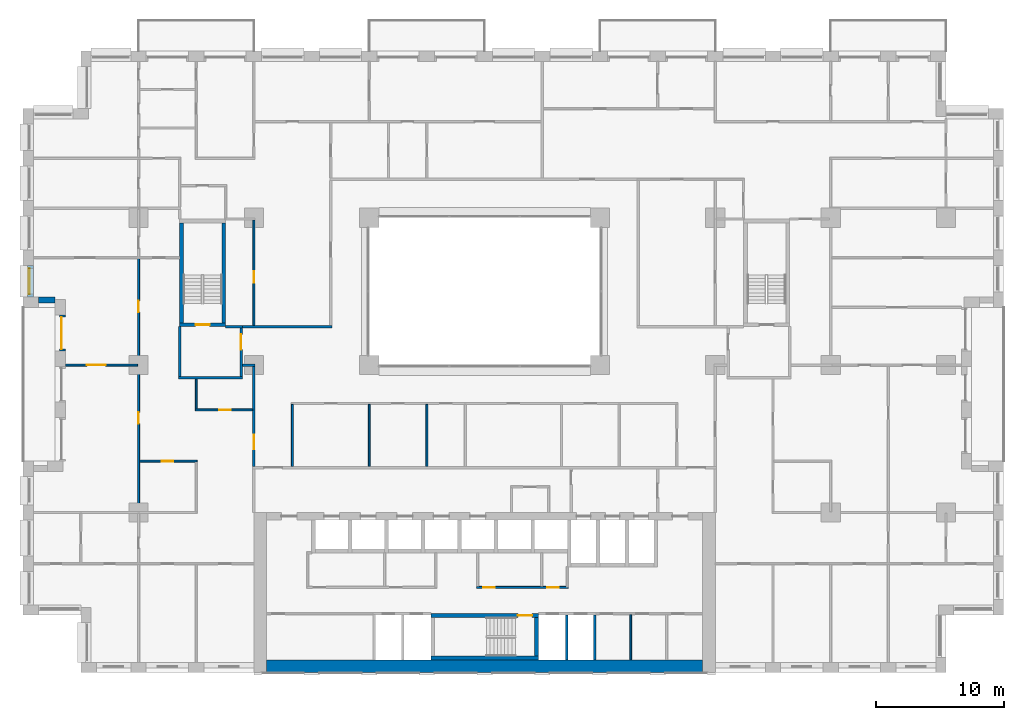
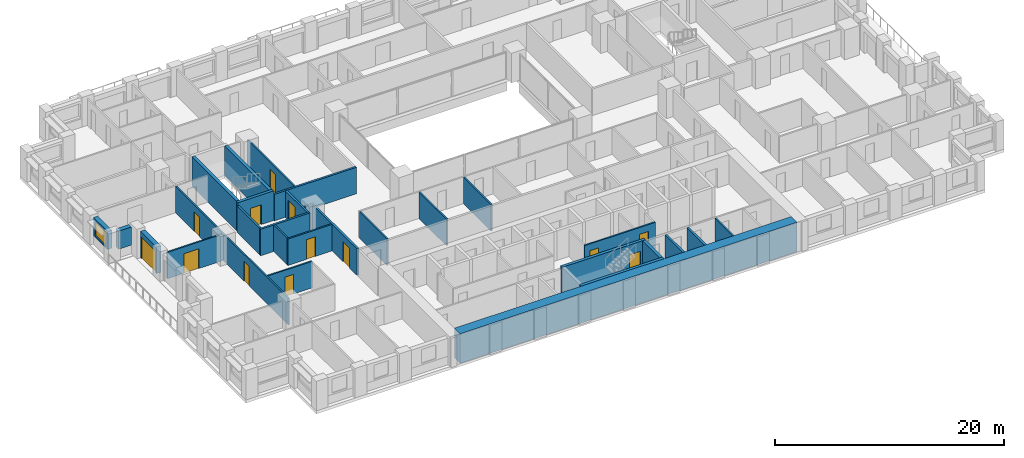
# One storey, part 10 of 20: 30 walls, 13 doors, 1 window, 14 openings.
"""IFC4 building model written with IfcOpenShell, lengths in metres."""

from ifc_helpers import new_model, si_unit, direction, frame, frame_2d, origin, place, context, subcontext, project, spatial, rectangle, extrude, material, layer, layer_set, type_object, element, fill, save


model = new_model("IFC4")

# Units and contexts
model_context = context("Model", 3, precision=1e-05, world=origin(), true_north=direction((0.0, 1.0)))
body_context = subcontext(model_context, "Body", "Model", "MODEL_VIEW")
ifc_project = project(units=[si_unit("LENGTHUNIT", "METRE"), si_unit("AREAUNIT", "SQUARE_METRE"), si_unit("VOLUMEUNIT", "CUBIC_METRE"), si_unit("PLANEANGLEUNIT", "RADIAN"), si_unit("MASSUNIT", "GRAM", prefix="KILO")], contexts=[model_context])

# Site, building, storey
site_placement = place(None, origin())
site = spatial("IfcSite", under=ifc_project, at=site_placement, CompositionType="ELEMENT")
building_placement = place(site_placement, origin())
building = spatial("IfcBuilding", under=site, at=building_placement, Name="Brigalow Station Residences", CompositionType="ELEMENT")
storey_placement = place(building_placement, frame((0.0, 0.0, 60.449951171875)))
storey = spatial("IfcBuildingStorey", under=building, at=storey_placement, Name="L17", CompositionType="ELEMENT", Elevation=60.449951171875)

# Wall, opening, window
ifc_material_1 = material(Name="Clay brick masonry", Category="masonry")
ifc_layer_1 = layer(ifc_material_1, 0.449951171875)
ifc_layer_set_1 = layer_set([ifc_layer_1], Name="BRICK INFILL WALL 450")
wall_type_1 = type_object("IfcWallType", Name="BRICK INFILL WALL 450", PredefinedType="SOLIDWALL", material=ifc_layer_set_1)
wall_1_placement = place(storey_placement, frame((0.574951171875, 31.77490234375, 0.900146484375), z_axis=(0.0, 0.0, 1.0), x_axis=(0.0, -1.0, 0.0)))
wall_1 = element("IfcWall", 1, at=wall_1_placement, inside=storey, type_object=wall_type_1, Name="L17/ewall/W-L17-45", PredefinedType="SOLIDWALL", context=body_context, shape_type="SweptSolid", body=[
    extrude(rectangle(XDim=2.474853515625, YDim=0.449951171875, at=frame_2d((1.2373046875, 0.0))), origin(), (0.0, 0.0, 1.0), 1.929931640625),
])
opening_1_placement = place(wall_1_placement, frame((0.237548828125, 0.0, 0.14990234375)))
opening_1 = element("IfcOpeningElement", 2, at=opening_1_placement, cuts=wall_1, Name="Opening WT-7", PredefinedType="OPENING", context=body_context, shape_type="SweptSolid", body=[
    extrude(rectangle(XDim=2.0, YDim=1.5, at=frame_2d((1.0, 0.75))), frame((0.0, 0.23486328125, 0.0), z_axis=(0.0, -1.0, 0.0), x_axis=(1.0, 0.0, 0.0)), (0.0, 0.0, 1.0), 0.469970703125),
])
ifc_material_2 = material(Name="Anodised aluminium frame with double glazing", Category="aluminium")
window_type = type_object("IfcWindowType", Name="WINDOW 2000x1500", PartitioningType="SINGLE_PANEL", PredefinedType="WINDOW", material=ifc_material_2)
window_placement = place(opening_1_placement, origin())
window = element("IfcWindow", 3, at=window_placement, inside=storey, type_object=window_type, Name="L17/window/W-L17-45", OverallHeight=1.5, OverallWidth=2.0, PartitioningType="SINGLE_PANEL", PredefinedType="WINDOW", context=body_context, shape_type="SweptSolid", body=[
    extrude(rectangle(XDim=2.0, YDim=1.5, at=frame_2d((1.0, 0.75))), frame((0.0, -0.06494140625, 0.0), z_axis=(0.0, -1.0, 0.0), x_axis=(1.0, 0.0, 0.0)), (0.0, 0.0, 1.0), 0.06005859375),
])
fill(opening_1, window)

# Wall
wall_2_placement = place(storey_placement, frame((1.199951171875, 29.074951171875, 0.900146484375), z_axis=(0.0, 0.0, 1.0), x_axis=(1.0, 0.0, 0.0)))
element("IfcWall", 4, at=wall_2_placement, inside=storey, type_object=wall_type_1, Name="L17/ewall/W-L17-46", PredefinedType="SOLIDWALL", context=body_context, shape_type="SweptSolid", body=[
    extrude(rectangle(XDim=1.300048828125, YDim=0.449951171875, at=frame_2d((0.64990234375, 0.0))), origin(), (0.0, 0.0, 1.0), 1.929931640625),
])

# Wall, opening, door
wall_3_placement = place(storey_placement, frame((3.074951171875, 27.89990234375, 0.0), z_axis=(0.0, 0.0, 1.0), x_axis=(0.0, -1.0, 0.0)))
wall_3 = element("IfcWall", 5, at=wall_3_placement, inside=storey, type_object=wall_type_1, Name="L17/ewall/W-L17-47", PredefinedType="SOLIDWALL", context=body_context, shape_type="SweptSolid", body=[
    extrude(rectangle(XDim=2.7998046875, YDim=0.449951171875, at=frame_2d((1.39990234375, 0.0))), origin(), (0.0, 0.0, 1.0), 2.830078125),
])
opening_2_placement = place(wall_3_placement, frame((0.14990234375, 0.0, 0.0)))
opening_2 = element("IfcOpeningElement", 6, at=opening_2_placement, cuts=wall_3, Name="Opening D-B2500", PredefinedType="OPENING", context=body_context, shape_type="SweptSolid", body=[
    extrude(rectangle(XDim=2.5, YDim=2.300048828125, at=frame_2d((1.25, 1.14990234375))), frame((0.0, 0.23486328125, 0.0), z_axis=(0.0, -1.0, 0.0), x_axis=(1.0, 0.0, 0.0)), (0.0, 0.0, 1.0), 0.469970703125),
])
ifc_material_3 = material(Name="Anodised aluminium frame with double glazing", Category="aluminium")
door_type_1 = type_object("IfcDoorType", Name="BALCONY SLIDING DOOR 2500x2300", OperationType="SLIDING_TO_LEFT", PredefinedType="DOOR", material=ifc_material_3)
door_1_placement = place(opening_2_placement, origin())
door_1 = element("IfcDoor", 7, at=door_1_placement, inside=storey, type_object=door_type_1, Name="L17/balcony-door/W-L17-47", OperationType="SLIDING_TO_LEFT", OverallHeight=2.300048828125, OverallWidth=2.5, PredefinedType="DOOR", context=body_context, shape_type="SweptSolid", body=[
    extrude(rectangle(XDim=2.5, YDim=2.300048828125, at=frame_2d((1.25, 1.14990234375))), frame((0.0, -0.06982421875, 0.0), z_axis=(0.0, -1.0, 0.0), x_axis=(1.0, 0.0, 0.0)), (0.0, 0.0, 1.0), 0.050048828125),
])
fill(opening_2, door_1)

# Walls
ifc_material_4 = material(Name="Concrete C80", Category="concrete")
ifc_layer_2 = layer(ifc_material_4, 1.0)
ifc_layer_set_2 = layer_set([ifc_layer_2], Name="CORE SHEAR WALL 1000 C80")
wall_type_2 = type_object("IfcWallType", Name="CORE SHEAR WALL 1000 C80", PredefinedType="SHEAR", material=ifc_layer_set_2)
wall_4_placement = place(storey_placement, frame((19.0, 0.5, 0.0), z_axis=(0.0, 0.0, 1.0), x_axis=(1.0, 0.0, 0.0)))
element("IfcWall", 8, at=wall_4_placement, inside=storey, type_object=wall_type_2, Name="CORE WALL OUT-S L17", PredefinedType="SHEAR", context=body_context, shape_type="SweptSolid", body=[
    extrude(rectangle(XDim=34.0, YDim=1.0, at=frame_2d((17.0, 0.0))), origin(), (0.0, 0.0, 1.0), 3.150146484375),
])
ifc_material_5 = material(Name="Concrete C80", Category="concrete")
ifc_layer_3 = layer(ifc_material_5, 0.300048828125)
ifc_layer_set_3 = layer_set([ifc_layer_3], Name="CORE SHEAR WALL 300 C80")
wall_type_3 = type_object("IfcWallType", Name="CORE SHEAR WALL 300 C80", PredefinedType="SHEAR", material=ifc_layer_set_3)
wall_5_placement = place(storey_placement, frame((31.800048828125, 1.14990234375, 0.0), z_axis=(0.0, 0.0, 1.0), x_axis=(1.0, 0.0, 0.0)))
element("IfcWall", 9, at=wall_5_placement, inside=storey, type_object=wall_type_3, Name="CORE WALL ST-S2-S L17", PredefinedType="SHEAR", context=body_context, shape_type="SweptSolid", body=[
    extrude(rectangle(XDim=8.39990234375, YDim=0.300048828125, at=frame_2d((4.199951171875, 0.0))), origin(), (0.0, 0.0, 1.0), 3.150146484375),
])

# Wall, opening, door
wall_6_placement = place(storey_placement, frame((31.800048828125, 4.449951171875, 0.0), z_axis=(0.0, 0.0, 1.0), x_axis=(1.0, 0.0, 0.0)))
wall_6 = element("IfcWall", 10, at=wall_6_placement, inside=storey, type_object=wall_type_3, Name="CORE WALL ST-S2-N L17", PredefinedType="SHEAR", context=body_context, shape_type="SweptSolid", body=[
    extrude(rectangle(XDim=8.39990234375, YDim=0.300048828125, at=frame_2d((4.199951171875, 0.0))), origin(), (0.0, 0.0, 1.0), 3.150146484375),
])
opening_3_placement = place(wall_6_placement, frame((6.800048828125, 0.0, 0.0)))
opening_3 = element("IfcOpeningElement", 11, at=opening_3_placement, cuts=wall_6, Name="Opening D-5001", PredefinedType="OPENING", context=body_context, shape_type="SweptSolid", body=[
    extrude(rectangle(XDim=1.10009765625, YDim=2.10009765625, at=frame_2d((0.550048828125, 1.050048828125))), frame((0.0, 0.16015625, 0.0), z_axis=(0.0, -1.0, 0.0), x_axis=(1.0, 0.0, 0.0)), (0.0, 0.0, 1.0), 0.320068359375),
])
ifc_material_6 = material(Name="Steel fire door leaf in steel frame", Category="steel")
door_type_2 = type_object("IfcDoorType", Name="STAIR DOOR 1100 x 2100 FD60S", OperationType="SINGLE_SWING_LEFT", PredefinedType="DOOR", material=ifc_material_6)
door_2_placement = place(opening_3_placement, frame((1.10009765625, 0.0, 0.0), z_axis=(0.0, 0.0, 1.0), x_axis=(-1.0, 0.0, 0.0)))
door_2 = element("IfcDoor", 12, at=door_2_placement, inside=storey, type_object=door_type_2, Name="D-5001", OperationType="SINGLE_SWING_LEFT", OverallHeight=2.10009765625, OverallWidth=1.10009765625, PredefinedType="DOOR", context=body_context, shape_type="SweptSolid", body=[
    extrude(rectangle(XDim=1.10009765625, YDim=2.10009765625, at=frame_2d((0.550048828125, 1.050048828125))), frame((0.0, 0.02490234375, 0.0), z_axis=(0.0, -1.0, 0.0), x_axis=(1.0, 0.0, 0.0)), (0.0, 0.0, 1.0), 0.050048828125),
])
fill(opening_3, door_2)

# Wall
wall_7_placement = place(storey_placement, frame((40.050048828125, 1.300048828125, 0.0), z_axis=(0.0, 0.0, 1.0), x_axis=(0.0, 1.0, 0.0)))
element("IfcWall", 13, at=wall_7_placement, inside=storey, type_object=wall_type_3, Name="CORE WALL ST-S2-E L17", PredefinedType="SHEAR", context=body_context, shape_type="SweptSolid", body=[
    extrude(rectangle(XDim=3.0, YDim=0.300048828125, at=frame_2d((1.5, 0.0))), origin(), (0.0, 0.0, 1.0), 3.150146484375),
])

# Wall, opening, door
wall_8_placement = place(storey_placement, frame((12.199951171875, 27.14990234375, 0.0), z_axis=(0.0, 0.0, 1.0), x_axis=(1.0, 0.0, 0.0)))
wall_8 = element("IfcWall", 14, at=wall_8_placement, inside=storey, type_object=wall_type_3, Name="CORE WALL ST-S1-S L17", PredefinedType="SHEAR", context=body_context, shape_type="SweptSolid", body=[
    extrude(rectangle(XDim=3.60009765625, YDim=0.300048828125, at=frame_2d((1.800048828125, 0.0))), origin(), (0.0, 0.0, 1.0), 3.150146484375),
])
opening_4_placement = place(wall_8_placement, frame((1.25, 0.0, 0.0)))
opening_4 = element("IfcOpeningElement", 15, at=opening_4_placement, cuts=wall_8, Name="Opening D-5015", PredefinedType="OPENING", context=body_context, shape_type="SweptSolid", body=[
    extrude(rectangle(XDim=1.10009765625, YDim=2.10009765625, at=frame_2d((0.550048828125, 1.050048828125))), frame((0.0, 0.16015625, 0.0), z_axis=(0.0, -1.0, 0.0), x_axis=(1.0, 0.0, 0.0)), (0.0, 0.0, 1.0), 0.320068359375),
])
door_3_placement = place(opening_4_placement, origin())
door_3 = element("IfcDoor", 16, at=door_3_placement, inside=storey, type_object=door_type_2, Name="D-5015", OperationType="SINGLE_SWING_LEFT", OverallHeight=2.10009765625, OverallWidth=1.10009765625, PredefinedType="DOOR", context=body_context, shape_type="SweptSolid", body=[
    extrude(rectangle(XDim=1.10009765625, YDim=2.10009765625, at=frame_2d((0.550048828125, 1.050048828125))), frame((0.0, 0.02490234375, 0.0), z_axis=(0.0, -1.0, 0.0), x_axis=(1.0, 0.0, 0.0)), (0.0, 0.0, 1.0), 0.050048828125),
])
fill(opening_4, door_3)

# Walls
for number, where, z_axis, x_axis, name in (
    (17, (12.35009765625, 27.300048828125, 0.0), (0.0, 0.0, 1.0), (0.0, 1.0, 0.0), "CORE WALL ST-S1-W L17"),
    (18, (15.64990234375, 27.300048828125, 0.0), (0.0, 0.0, 1.0), (0.0, 1.0, 0.0), "CORE WALL ST-S1-E L17"),
):
    element("IfcWall", number, at=place(storey_placement, frame(where, z_axis=z_axis, x_axis=x_axis)), inside=storey, type_object=wall_type_3, Name=name, PredefinedType="SHEAR", context=body_context, shape_type="SweptSolid", body=[
        extrude(rectangle(XDim=7.800048828125, YDim=0.300048828125, at=frame_2d((3.89990234375, 0.0))), origin(), (0.0, 0.0, 1.0), 3.150146484375),
    ])
ifc_material_7 = material(Name="Concrete blockwork", Category="masonry")
ifc_layer_4 = layer(ifc_material_7, 0.199951171875)
ifc_layer_set_4 = layer_set([ifc_layer_4], Name="FIRE RATED CORE PARTITION 200")
wall_type_4 = type_object("IfcWallType", Name="FIRE RATED CORE PARTITION 200", PredefinedType="PARTITIONING", material=ifc_layer_set_4)
wall_9_placement = place(storey_placement, frame((12.10009765625, 23.0, 0.0), z_axis=(0.0, 0.0, 1.0), x_axis=(1.0, 0.0, 0.0)))
element("IfcWall", 19, at=wall_9_placement, inside=storey, type_object=wall_type_4, Name="PW-5023", PredefinedType="PARTITIONING", context=body_context, shape_type="SweptSolid", body=[
    extrude(rectangle(XDim=5.0, YDim=0.199951171875, at=frame_2d((2.5, 0.0))), origin(), (0.0, 0.0, 1.0), 2.830078125),
])
wall_10_placement = place(storey_placement, frame((15.800048828125, 27.0, 0.0), z_axis=(0.0, 0.0, 1.0), x_axis=(1.0, 0.0, 0.0)))
element("IfcWall", 20, at=wall_10_placement, inside=storey, type_object=wall_type_4, Name="PW-5025", PredefinedType="PARTITIONING", context=body_context, shape_type="SweptSolid", body=[
    extrude(rectangle(XDim=1.300048828125, YDim=0.199951171875, at=frame_2d((0.64990234375, 0.0))), origin(), (0.0, 0.0, 1.0), 2.830078125),
])
for number, where, z_axis, x_axis, name in (
    (21, (42.39990234375, 1.0, 0.0), (0.0, 0.0, 1.0), (0.0, 1.0, 0.0), "PW-5007"),
    (22, (44.60009765625, 1.0, 0.0), (0.0, 0.0, 1.0), (0.0, 1.0, 0.0), "PW-5008"),
):
    element("IfcWall", number, at=place(storey_placement, frame(where, z_axis=z_axis, x_axis=x_axis)), inside=storey, type_object=wall_type_4, Name=name, PredefinedType="PARTITIONING", context=body_context, shape_type="SweptSolid", body=[
        extrude(rectangle(XDim=3.5, YDim=0.199951171875, at=frame_2d((1.75, 0.0))), origin(), (0.0, 0.0, 1.0), 2.830078125),
    ])
wall_11_placement = place(storey_placement, frame((12.199951171875, 23.10009765625, 0.0), z_axis=(0.0, 0.0, 1.0), x_axis=(0.0, 1.0, 0.0)))
element("IfcWall", 23, at=wall_11_placement, inside=storey, type_object=wall_type_4, Name="PW-5034", PredefinedType="PARTITIONING", context=body_context, shape_type="SweptSolid", body=[
    extrude(rectangle(XDim=3.89990234375, YDim=0.199951171875, at=frame_2d((1.949951171875, 0.0))), origin(), (0.0, 0.0, 1.0), 2.830078125),
])

# Wall, opening, door
wall_12_placement = place(storey_placement, frame((17.0, 23.10009765625, 0.0), z_axis=(0.0, 0.0, 1.0), x_axis=(0.0, 1.0, 0.0)))
wall_12 = element("IfcWall", 24, at=wall_12_placement, inside=storey, type_object=wall_type_4, Name="PW-5035", PredefinedType="PARTITIONING", context=body_context, shape_type="SweptSolid", body=[
    extrude(rectangle(XDim=3.7998046875, YDim=0.199951171875, at=frame_2d((1.89990234375, 0.0))), origin(), (0.0, 0.0, 1.0), 2.830078125),
])
opening_5_placement = place(wall_12_placement, frame((2.10009765625, 0.0, 0.0)))
opening_5 = element("IfcOpeningElement", 25, at=opening_5_placement, cuts=wall_12, Name="Opening D-5016", PredefinedType="OPENING", context=body_context, shape_type="SweptSolid", body=[
    extrude(rectangle(XDim=1.199951171875, YDim=2.10009765625, at=frame_2d((0.60009765625, 1.050048828125))), frame((0.0, 0.10986328125, 0.0), z_axis=(0.0, -1.0, 0.0), x_axis=(1.0, 0.0, 0.0)), (0.0, 0.0, 1.0), 0.219970703125),
])
ifc_material_8 = material(Name="Steel fire door leaf in steel frame", Category="steel")
door_type_3 = type_object("IfcDoorType", Name="STAIR LOBBY DOOR 1200 x 2100 FD60S", OperationType="SINGLE_SWING_LEFT", PredefinedType="DOOR", material=ifc_material_8)
door_4_placement = place(opening_5_placement, origin())
door_4 = element("IfcDoor", 26, at=door_4_placement, inside=storey, type_object=door_type_3, Name="D-5016", OperationType="SINGLE_SWING_RIGHT", OverallHeight=2.10009765625, OverallWidth=1.199951171875, PredefinedType="DOOR", context=body_context, shape_type="SweptSolid", body=[
    extrude(rectangle(XDim=1.199951171875, YDim=2.10009765625, at=frame_2d((0.60009765625, 1.050048828125))), frame((0.0, 0.02490234375, 0.0), z_axis=(0.0, -1.0, 0.0), x_axis=(1.0, 0.0, 0.0)), (0.0, 0.0, 1.0), 0.050048828125),
])
fill(opening_5, door_4)

ifc_material_9 = material(Name="Plasterboard on steel stud partition", Category="steel")
ifc_layer_5 = layer(ifc_material_9, 0.14990234375)
ifc_layer_set_5 = layer_set([ifc_layer_5], Name="FLAT PARTITION 150")
wall_type_5 = type_object("IfcWallType", Name="FLAT PARTITION 150", PredefinedType="PARTITIONING", material=ifc_layer_set_5)
wall_13_placement = place(storey_placement, frame((3.300048828125, 24.0, 0.0), z_axis=(0.0, 0.0, 1.0), x_axis=(1.0, 0.0, 0.0)))
wall_13 = element("IfcWall", 27, at=wall_13_placement, inside=storey, type_object=wall_type_5, Name="PW-1F02", PredefinedType="PARTITIONING", context=body_context, shape_type="SweptSolid", body=[
    extrude(rectangle(XDim=5.625, YDim=0.14990234375, at=frame_2d((2.8125, 0.0))), origin(), (0.0, 0.0, 1.0), 2.830078125),
])
opening_6_placement = place(wall_13_placement, frame((1.64990234375, 0.0, 0.0)))
opening_6 = element("IfcOpeningElement", 28, at=opening_6_placement, cuts=wall_13, Name="Opening D-1F08", PredefinedType="OPENING", context=body_context, shape_type="SweptSolid", body=[
    extrude(rectangle(XDim=1.5, YDim=2.10009765625, at=frame_2d((0.75, 1.050048828125))), frame((0.0, 0.0849609375, 0.0), z_axis=(0.0, -1.0, 0.0), x_axis=(1.0, 0.0, 0.0)), (0.0, 0.0, 1.0), 0.169921875),
])
ifc_material_10 = material(Name="Solid-core timber door leaf", Category="wood")
door_type_4 = type_object("IfcDoorType", Name="INTERNAL DOUBLE DOOR 1500 x 2100", OperationType="DOUBLE_DOOR_SINGLE_SWING", PredefinedType="DOOR", material=ifc_material_10)
door_5_placement = place(opening_6_placement, origin())
door_5 = element("IfcDoor", 29, at=door_5_placement, inside=storey, type_object=door_type_4, Name="D-1F08", OperationType="DOUBLE_DOOR_SINGLE_SWING", OverallHeight=2.10009765625, OverallWidth=1.5, PredefinedType="DOOR", context=body_context, shape_type="SweptSolid", body=[
    extrude(rectangle(XDim=1.5, YDim=2.10009765625, at=frame_2d((0.75, 1.050048828125))), frame((0.0, 0.02490234375, 0.0), z_axis=(0.0, -1.0, 0.0), x_axis=(1.0, 0.0, 0.0)), (0.0, 0.0, 1.0), 0.050048828125),
])
fill(opening_6, door_5)

wall_14_placement = place(storey_placement, frame((13.425048828125, 20.5, 0.0), z_axis=(0.0, 0.0, 1.0), x_axis=(1.0, 0.0, 0.0)))
wall_14 = element("IfcWall", 30, at=wall_14_placement, inside=storey, type_object=wall_type_5, Name="PW-1F15", PredefinedType="PARTITIONING", context=body_context, shape_type="SweptSolid", body=[
    extrude(rectangle(XDim=4.474853515625, YDim=0.14990234375, at=frame_2d((2.2373046875, 0.0))), origin(), (0.0, 0.0, 1.0), 2.830078125),
])
opening_7_placement = place(wall_14_placement, frame((1.875, 0.0, 0.0)))
opening_7 = element("IfcOpeningElement", 31, at=opening_7_placement, cuts=wall_14, Name="Opening D-1F14", PredefinedType="OPENING", context=body_context, shape_type="SweptSolid", body=[
    extrude(rectangle(XDim=0.89990234375, YDim=2.10009765625, at=frame_2d((0.449951171875, 1.050048828125))), frame((0.0, 0.0849609375, 0.0), z_axis=(0.0, -1.0, 0.0), x_axis=(1.0, 0.0, 0.0)), (0.0, 0.0, 1.0), 0.169921875),
])
ifc_material_11 = material(Name="Solid-core timber door leaf", Category="wood")
door_type_5 = type_object("IfcDoorType", Name="INTERNAL DOOR 900 x 2100", OperationType="SINGLE_SWING_LEFT", PredefinedType="DOOR", material=ifc_material_11)
door_6_placement = place(opening_7_placement, origin())
door_6 = element("IfcDoor", 32, at=door_6_placement, inside=storey, type_object=door_type_5, Name="D-1F14", OperationType="SINGLE_SWING_RIGHT", OverallHeight=2.10009765625, OverallWidth=0.89990234375, PredefinedType="DOOR", context=body_context, shape_type="SweptSolid", body=[
    extrude(rectangle(XDim=0.89990234375, YDim=2.10009765625, at=frame_2d((0.449951171875, 1.050048828125))), frame((0.0, 0.02490234375, 0.0), z_axis=(0.0, -1.0, 0.0), x_axis=(1.0, 0.0, 0.0)), (0.0, 0.0, 1.0), 0.050048828125),
])
fill(opening_7, door_6)

wall_15_placement = place(storey_placement, frame((9.074951171875, 16.5, 0.0), z_axis=(0.0, 0.0, 1.0), x_axis=(1.0, 0.0, 0.0)))
wall_15 = element("IfcWall", 33, at=wall_15_placement, inside=storey, type_object=wall_type_5, Name="PW-1F16", PredefinedType="PARTITIONING", context=body_context, shape_type="SweptSolid", body=[
    extrude(rectangle(XDim=4.5, YDim=0.14990234375, at=frame_2d((2.25, 0.0))), origin(), (0.0, 0.0, 1.0), 2.830078125),
])
opening_8_placement = place(wall_15_placement, frame((1.72509765625, 0.0, 0.0)))
opening_8 = element("IfcOpeningElement", 34, at=opening_8_placement, cuts=wall_15, Name="Opening D-1F03", PredefinedType="OPENING", context=body_context, shape_type="SweptSolid", body=[
    extrude(rectangle(XDim=0.89990234375, YDim=2.10009765625, at=frame_2d((0.449951171875, 1.050048828125))), frame((0.0, 0.0849609375, 0.0), z_axis=(0.0, -1.0, 0.0), x_axis=(1.0, 0.0, 0.0)), (0.0, 0.0, 1.0), 0.169921875),
])
door_7_placement = place(opening_8_placement, frame((0.89990234375, 0.0, 0.0), z_axis=(0.0, 0.0, 1.0), x_axis=(-1.0, 0.0, 0.0)))
door_7 = element("IfcDoor", 35, at=door_7_placement, inside=storey, type_object=door_type_5, Name="D-1F03", OperationType="SINGLE_SWING_LEFT", OverallHeight=2.10009765625, OverallWidth=0.89990234375, PredefinedType="DOOR", context=body_context, shape_type="SweptSolid", body=[
    extrude(rectangle(XDim=0.89990234375, YDim=2.10009765625, at=frame_2d((0.449951171875, 1.050048828125))), frame((0.0, 0.02490234375, 0.0), z_axis=(0.0, -1.0, 0.0), x_axis=(1.0, 0.0, 0.0)), (0.0, 0.0, 1.0), 0.050048828125),
])
fill(opening_8, door_7)

wall_16_placement = place(storey_placement, frame((18.0, 27.10009765625, 0.0), z_axis=(0.0, 0.0, 1.0), x_axis=(0.0, 1.0, 0.0)))
wall_16 = element("IfcWall", 36, at=wall_16_placement, inside=storey, type_object=wall_type_5, Name="PW-1F38", PredefinedType="PARTITIONING", context=body_context, shape_type="SweptSolid", body=[
    extrude(rectangle(XDim=8.224853515625, YDim=0.14990234375, at=frame_2d((4.1123046875, 0.0))), origin(), (0.0, 0.0, 1.0), 2.830078125),
])
opening_9_placement = place(wall_16_placement, frame((3.324951171875, 0.0, 0.0)))
opening_9 = element("IfcOpeningElement", 37, at=opening_9_placement, cuts=wall_16, Name="Opening D-1F29", PredefinedType="OPENING", context=body_context, shape_type="SweptSolid", body=[
    extrude(rectangle(XDim=0.89990234375, YDim=2.10009765625, at=frame_2d((0.449951171875, 1.050048828125))), frame((0.0, 0.0849609375, 0.0), z_axis=(0.0, -1.0, 0.0), x_axis=(1.0, 0.0, 0.0)), (0.0, 0.0, 1.0), 0.169921875),
])
door_8_placement = place(opening_9_placement, origin())
door_8 = element("IfcDoor", 38, at=door_8_placement, inside=storey, type_object=door_type_5, Name="D-1F29", OperationType="SINGLE_SWING_LEFT", OverallHeight=2.10009765625, OverallWidth=0.89990234375, PredefinedType="DOOR", context=body_context, shape_type="SweptSolid", body=[
    extrude(rectangle(XDim=0.89990234375, YDim=2.10009765625, at=frame_2d((0.449951171875, 1.050048828125))), frame((0.0, 0.02490234375, 0.0), z_axis=(0.0, -1.0, 0.0), x_axis=(1.0, 0.0, 0.0)), (0.0, 0.0, 1.0), 0.050048828125),
])
fill(opening_9, door_8)

# Wall
wall_17_placement = place(storey_placement, frame((21.0, 16.10009765625, 0.0), z_axis=(0.0, 0.0, 1.0), x_axis=(0.0, 1.0, 0.0)))
element("IfcWall", 39, at=wall_17_placement, inside=storey, type_object=wall_type_5, Name="PW-1F44", PredefinedType="PARTITIONING", context=body_context, shape_type="SweptSolid", body=[
    extrude(rectangle(XDim=4.824951171875, YDim=0.14990234375, at=frame_2d((2.41259765625, 0.0))), origin(), (0.0, 0.0, 1.0), 2.830078125),
])

# Wall, openings, doors
wall_18_placement = place(storey_placement, frame((9.0, 12.574951171875, 0.0), z_axis=(0.0, 0.0, 1.0), x_axis=(0.0, 1.0, 0.0)))
wall_18 = element("IfcWall", 40, at=wall_18_placement, inside=storey, type_object=wall_type_5, Name="PW-1F51", PredefinedType="PARTITIONING", context=body_context, shape_type="SweptSolid", body=[
    extrude(rectangle(XDim=19.72509765625, YDim=0.14990234375, at=frame_2d((9.862548828125, 0.0))), origin(), (0.0, 0.0, 1.0), 2.830078125),
])
opening_10_placement = place(wall_18_placement, frame((15.537109375, 0.0, 0.0)))
opening_10 = element("IfcOpeningElement", 41, at=opening_10_placement, cuts=wall_18, Name="Opening D-1F07", PredefinedType="OPENING", context=body_context, shape_type="SweptSolid", body=[
    extrude(rectangle(XDim=0.89990234375, YDim=2.10009765625, at=frame_2d((0.449951171875, 1.050048828125))), frame((0.0, 0.0849609375, 0.0), z_axis=(0.0, -1.0, 0.0), x_axis=(1.0, 0.0, 0.0)), (0.0, 0.0, 1.0), 0.169921875),
])
opening_11_placement = place(wall_18_placement, frame((6.85009765625, 0.0, 0.0)))
opening_11 = element("IfcOpeningElement", 42, at=opening_11_placement, cuts=wall_18, Name="Opening D-1F13", PredefinedType="OPENING", context=body_context, shape_type="SweptSolid", body=[
    extrude(rectangle(XDim=0.89990234375, YDim=2.10009765625, at=frame_2d((0.449951171875, 1.050048828125))), frame((0.0, 0.0849609375, 0.0), z_axis=(0.0, -1.0, 0.0), x_axis=(1.0, 0.0, 0.0)), (0.0, 0.0, 1.0), 0.169921875),
])
door_9_placement = place(opening_10_placement, origin())
door_9 = element("IfcDoor", 43, at=door_9_placement, inside=storey, type_object=door_type_5, Name="D-1F07", OperationType="SINGLE_SWING_RIGHT", OverallHeight=2.10009765625, OverallWidth=0.89990234375, PredefinedType="DOOR", context=body_context, shape_type="SweptSolid", body=[
    extrude(rectangle(XDim=0.89990234375, YDim=2.10009765625, at=frame_2d((0.449951171875, 1.050048828125))), frame((0.0, 0.02490234375, 0.0), z_axis=(0.0, -1.0, 0.0), x_axis=(1.0, 0.0, 0.0)), (0.0, 0.0, 1.0), 0.050048828125),
])
fill(opening_10, door_9)
door_10_placement = place(opening_11_placement, origin())
door_10 = element("IfcDoor", 44, at=door_10_placement, inside=storey, type_object=door_type_5, Name="D-1F13", OperationType="SINGLE_SWING_RIGHT", OverallHeight=2.10009765625, OverallWidth=0.89990234375, PredefinedType="DOOR", context=body_context, shape_type="SweptSolid", body=[
    extrude(rectangle(XDim=0.89990234375, YDim=2.10009765625, at=frame_2d((0.449951171875, 1.050048828125))), frame((0.0, 0.02490234375, 0.0), z_axis=(0.0, -1.0, 0.0), x_axis=(1.0, 0.0, 0.0)), (0.0, 0.0, 1.0), 0.050048828125),
])
fill(opening_11, door_10)

# Walls
wall_19_placement = place(storey_placement, frame((13.5, 20.574951171875, 0.0), z_axis=(0.0, 0.0, 1.0), x_axis=(0.0, 1.0, 0.0)))
element("IfcWall", 45, at=wall_19_placement, inside=storey, type_object=wall_type_5, Name="PW-1F57", PredefinedType="PARTITIONING", context=body_context, shape_type="SweptSolid", body=[
    extrude(rectangle(XDim=2.324951171875, YDim=0.14990234375, at=frame_2d((1.16259765625, 0.0))), origin(), (0.0, 0.0, 1.0), 2.830078125),
])
for number, where, z_axis, x_axis, name in (
    (46, (27.0, 16.10009765625, 0.0), (0.0, 0.0, 1.0), (0.0, 1.0, 0.0), "PW-1F63"),
    (47, (31.5, 16.10009765625, 0.0), (0.0, 0.0, 1.0), (0.0, 1.0, 0.0), "PW-1F66"),
):
    element("IfcWall", number, at=place(storey_placement, frame(where, z_axis=z_axis, x_axis=x_axis)), inside=storey, type_object=wall_type_5, Name=name, PredefinedType="PARTITIONING", context=body_context, shape_type="SweptSolid", body=[
        extrude(rectangle(XDim=4.824951171875, YDim=0.14990234375, at=frame_2d((2.41259765625, 0.0))), origin(), (0.0, 0.0, 1.0), 2.830078125),
    ])
ifc_material_12 = material(Name="Plasterboard on steel stud partition", Category="steel")
ifc_layer_6 = layer(ifc_material_12, 0.199951171875)
ifc_layer_set_6 = layer_set([ifc_layer_6], Name="PARTY AND CORRIDOR WALL 200")
wall_type_6 = type_object("IfcWallType", Name="PARTY AND CORRIDOR WALL 200", PredefinedType="PARTITIONING", material=ifc_layer_set_6)
wall_20_placement = place(storey_placement, frame((17.10009765625, 24.0, 0.0), z_axis=(0.0, 0.0, 1.0), x_axis=(1.0, 0.0, 0.0)))
element("IfcWall", 48, at=wall_20_placement, inside=storey, type_object=wall_type_6, Name="PW-1F04", PredefinedType="PARTITIONING", context=body_context, shape_type="SweptSolid", body=[
    extrude(rectangle(XDim=1.0, YDim=0.199951171875, at=frame_2d((0.5, 0.0))), origin(), (0.0, 0.0, 1.0), 2.830078125),
])
wall_21_placement = place(storey_placement, frame((17.10009765625, 27.0, 0.0), z_axis=(0.0, 0.0, 1.0), x_axis=(1.0, 0.0, 0.0)))
element("IfcWall", 49, at=wall_21_placement, inside=storey, type_object=wall_type_6, Name="PW-1F07", PredefinedType="PARTITIONING", context=body_context, shape_type="SweptSolid", body=[
    extrude(rectangle(XDim=7.0, YDim=0.199951171875, at=frame_2d((3.5, 0.0))), origin(), (0.0, 0.0, 1.0), 2.830078125),
])

# Wall, opening, door
wall_22_placement = place(storey_placement, frame((18.0, 16.10009765625, 0.0), z_axis=(0.0, 0.0, 1.0), x_axis=(0.0, 1.0, 0.0)))
wall_22 = element("IfcWall", 50, at=wall_22_placement, inside=storey, type_object=wall_type_6, Name="PW-1F40", PredefinedType="PARTITIONING", context=body_context, shape_type="SweptSolid", body=[
    extrude(rectangle(XDim=7.7998046875, YDim=0.199951171875, at=frame_2d((3.89990234375, 0.0))), origin(), (0.0, 0.0, 1.0), 2.830078125),
])
opening_12_placement = place(wall_22_placement, frame((1.35009765625, 0.0, 0.0)))
opening_12 = element("IfcOpeningElement", 51, at=opening_12_placement, cuts=wall_22, Name="Opening D-1F17", PredefinedType="OPENING", context=body_context, shape_type="SweptSolid", body=[
    extrude(rectangle(XDim=1.10009765625, YDim=2.10009765625, at=frame_2d((0.550048828125, 1.050048828125))), frame((0.0, 0.10986328125, 0.0), z_axis=(0.0, -1.0, 0.0), x_axis=(1.0, 0.0, 0.0)), (0.0, 0.0, 1.0), 0.219970703125),
])
ifc_material_13 = material(Name="Solid-core timber door leaf", Category="wood")
door_type_6 = type_object("IfcDoorType", Name="FLAT ENTRANCE DOOR 1100 x 2100 FRL -/60/30", OperationType="SINGLE_SWING_LEFT", PredefinedType="DOOR", material=ifc_material_13)
door_11_placement = place(opening_12_placement, origin())
door_11 = element("IfcDoor", 52, at=door_11_placement, inside=storey, type_object=door_type_6, Name="D-1F17", OperationType="SINGLE_SWING_RIGHT", OverallHeight=2.10009765625, OverallWidth=1.10009765625, PredefinedType="DOOR", context=body_context, shape_type="SweptSolid", body=[
    extrude(rectangle(XDim=1.10009765625, YDim=2.10009765625, at=frame_2d((0.550048828125, 1.050048828125))), frame((0.0, 0.02490234375, 0.0), z_axis=(0.0, -1.0, 0.0), x_axis=(1.0, 0.0, 0.0)), (0.0, 0.0, 1.0), 0.050048828125),
])
fill(opening_12, door_11)

# Wall, openings, doors
ifc_material_14 = material(Name="Plasterboard on steel studs", Category="steel")
ifc_layer_7 = layer(ifc_material_14, 0.14990234375)
ifc_layer_set_7 = layer_set([ifc_layer_7], Name="SERVICE ROOM PARTITION 150")
wall_type_7 = type_object("IfcWallType", Name="SERVICE ROOM PARTITION 150", PredefinedType="PARTITIONING", material=ifc_layer_set_7)
wall_23_placement = place(storey_placement, frame((35.375, 6.64990234375, 0.0), z_axis=(0.0, 0.0, 1.0), x_axis=(1.0, 0.0, 0.0)))
wall_23 = element("IfcWall", 53, at=wall_23_placement, inside=storey, type_object=wall_type_7, Name="PW-5149", PredefinedType="PARTITIONING", context=body_context, shape_type="SweptSolid", body=[
    extrude(rectangle(XDim=7.14990234375, YDim=0.14990234375, at=frame_2d((3.574951171875, 0.0))), origin(), (0.0, 0.0, 1.0), 2.830078125),
])
opening_13_placement = place(wall_23_placement, frame((0.52490234375, 0.0, 0.0)))
opening_13 = element("IfcOpeningElement", 54, at=opening_13_placement, cuts=wall_23, Name="Opening D-5084", PredefinedType="OPENING", context=body_context, shape_type="SweptSolid", body=[
    extrude(rectangle(XDim=0.89990234375, YDim=2.10009765625, at=frame_2d((0.449951171875, 1.050048828125))), frame((0.0, 0.0849609375, 0.0), z_axis=(0.0, -1.0, 0.0), x_axis=(1.0, 0.0, 0.0)), (0.0, 0.0, 1.0), 0.169921875),
])
opening_14_placement = place(wall_23_placement, frame((5.52490234375, 0.0, 0.0)))
opening_14 = element("IfcOpeningElement", 55, at=opening_14_placement, cuts=wall_23, Name="Opening D-5034", PredefinedType="OPENING", context=body_context, shape_type="SweptSolid", body=[
    extrude(rectangle(XDim=0.89990234375, YDim=2.10009765625, at=frame_2d((0.449951171875, 1.050048828125))), frame((0.0, 0.0849609375, 0.0), z_axis=(0.0, -1.0, 0.0), x_axis=(1.0, 0.0, 0.0)), (0.0, 0.0, 1.0), 0.169921875),
])
ifc_material_15 = material(Name="Steel door leaf in steel frame", Category="steel")
door_type_7 = type_object("IfcDoorType", Name="SERVICE ROOM DOOR 900 x 2100 FD60", OperationType="SINGLE_SWING_LEFT", PredefinedType="DOOR", material=ifc_material_15)
door_12_placement = place(opening_13_placement, origin())
door_12 = element("IfcDoor", 56, at=door_12_placement, inside=storey, type_object=door_type_7, Name="D-5084", OperationType="SINGLE_SWING_LEFT", OverallHeight=2.10009765625, OverallWidth=0.89990234375, PredefinedType="DOOR", context=body_context, shape_type="SweptSolid", body=[
    extrude(rectangle(XDim=0.89990234375, YDim=2.10009765625, at=frame_2d((0.449951171875, 1.050048828125))), frame((0.0, 0.02490234375, 0.0), z_axis=(0.0, -1.0, 0.0), x_axis=(1.0, 0.0, 0.0)), (0.0, 0.0, 1.0), 0.050048828125),
])
fill(opening_13, door_12)
door_13_placement = place(opening_14_placement, origin())
door_13 = element("IfcDoor", 57, at=door_13_placement, inside=storey, type_object=door_type_7, Name="D-5034", OperationType="SINGLE_SWING_LEFT", OverallHeight=2.10009765625, OverallWidth=0.89990234375, PredefinedType="DOOR", context=body_context, shape_type="SweptSolid", body=[
    extrude(rectangle(XDim=0.89990234375, YDim=2.10009765625, at=frame_2d((0.449951171875, 1.050048828125))), frame((0.0, 0.02490234375, 0.0), z_axis=(0.0, -1.0, 0.0), x_axis=(1.0, 0.0, 0.0)), (0.0, 0.0, 1.0), 0.050048828125),
])
fill(opening_14, door_13)

# Wall
wall_24_placement = place(storey_placement, frame((47.39990234375, 1.0, 0.0), z_axis=(0.0, 0.0, 1.0), x_axis=(0.0, 1.0, 0.0)))
element("IfcWall", 58, at=wall_24_placement, inside=storey, type_object=wall_type_7, Name="PW-5150", PredefinedType="PARTITIONING", context=body_context, shape_type="SweptSolid", body=[
    extrude(rectangle(XDim=3.52490234375, YDim=0.14990234375, at=frame_2d((1.762451171875, 0.0))), origin(), (0.0, 0.0, 1.0), 2.830078125),
])

save(model, "model.ifc")
